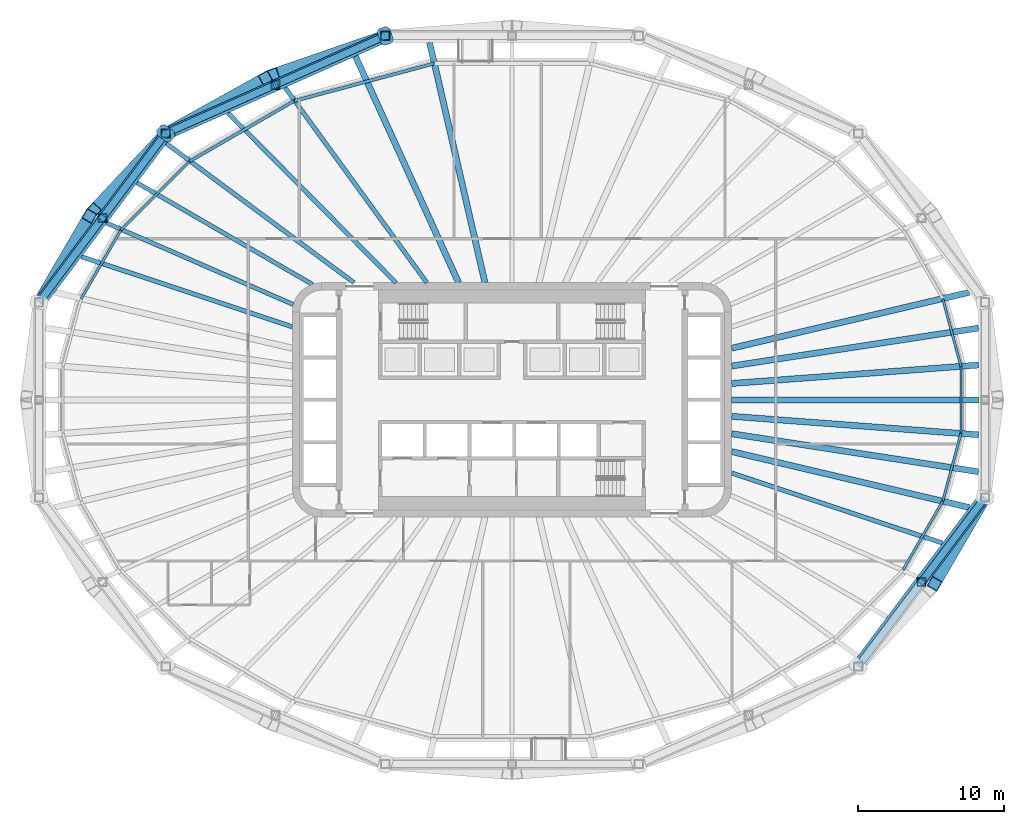
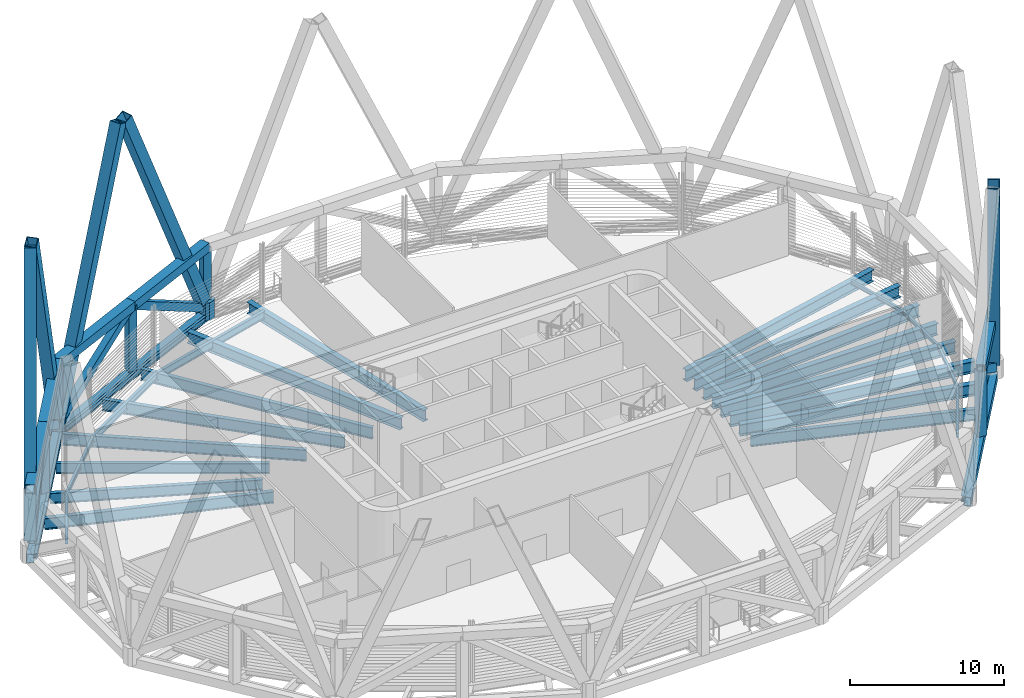
# One storey, part 3 of 18: 30 beams, 22 members.
"""IFC4 building model written with IfcOpenShell, lengths in metres."""

from ifc_helpers import new_model, si_unit, direction, frame, origin, origin_2d, place, context, subcontext, project, spatial, polyline, hollow_rectangle, i_section, outline, extrude, material, material_profile, profile_set, type_object, element, save


model = new_model("IFC4")

# Units and contexts
model_context = context("Model", 3, precision=1e-05, world=origin(), true_north=direction((0.0, 1.0)))
body_context = subcontext(model_context, "Body", "Model", "MODEL_VIEW")
ifc_project = project(units=[si_unit("LENGTHUNIT", "METRE"), si_unit("AREAUNIT", "SQUARE_METRE"), si_unit("VOLUMEUNIT", "CUBIC_METRE"), si_unit("PLANEANGLEUNIT", "RADIAN"), si_unit("MASSUNIT", "GRAM", prefix="KILO")], contexts=[model_context])

# Site, building, storey
site_placement = place(None, origin())
site = spatial("IfcSite", under=ifc_project, at=site_placement, CompositionType="ELEMENT")
building_placement = place(site_placement, origin())
building = spatial("IfcBuilding", under=site, at=building_placement, Name="Sahrelin Media Tower", CompositionType="ELEMENT")
storey_placement = place(building_placement, frame((0.0, 0.0, 197.60009765625)))
storey = spatial("IfcBuildingStorey", under=building, at=storey_placement, Name="L42", CompositionType="ELEMENT", Elevation=197.60009765625)

# Members
ifc_material_1 = material(Name="Steel S460", Category="steel")
ifc_material_profile_1 = material_profile(ifc_material_1, hollow_rectangle(XDim=0.699951171875, YDim=0.699951171875, WallThickness=0.044921875, at=origin_2d()), Name="Belt truss chord BC")
ifc_profile_set_1 = profile_set([ifc_material_profile_1], Name="Steel S460")
member_type_1 = type_object("IfcMemberType", Name="Belt truss chord BC", PredefinedType="CHORD", material=ifc_profile_set_1)
member_1_placement = place(storey_placement, frame((-8.651611328125, 24.852294921875, 4.849853515625), z_axis=(-0.913828738692, -0.406099786187, 0.0), x_axis=(0.406099786187, -0.913828738692, 0.0)))
element("IfcMember", 1, at=member_1_placement, inside=storey, type_object=member_type_1, Name="Belt truss member BT09-03-T1", PredefinedType="CHORD", context=body_context, shape_type="SweptSolid", body=[
    extrude(hollow_rectangle(XDim=0.699951171875, YDim=0.699951171875, WallThickness=0.044921875, at=origin_2d()), origin(), (0.0, 0.0, 1.0), 8.198974609375),
])
member_2_placement = place(storey_placement, frame((-16.14404296875, 21.522705078125, 4.849853515625), z_axis=(-0.913833649239, -0.406088736016, 0.0), x_axis=(0.406088736016, -0.913833649239, 0.0)))
element("IfcMember", 2, at=member_2_placement, inside=storey, type_object=member_type_1, Name="Belt truss member BT09-03-T2", PredefinedType="CHORD", context=body_context, shape_type="SweptSolid", body=[
    extrude(hollow_rectangle(XDim=0.699951171875, YDim=0.699951171875, WallThickness=0.044921875, at=origin_2d()), origin(), (0.0, 0.0, 1.0), 8.19921875),
])
for number, where, z_axis, x_axis, name in (
    (3, (-23.63671875, 18.193115234375, 4.849853515625), (-0.600032510579, -0.799975616034, 0.0), (0.799975616034, -0.600032510579, 0.0), "Belt truss member BT09-04-T1"),
    (4, (-27.96240234375, 12.426025390625, 4.849853515625), (-0.600070438811, -0.799947166046, 0.0), (0.799947166046, -0.600070438811, 0.0), "Belt truss member BT09-04-T2"),
    (5, (27.96240234375, -12.426025390625, 4.849853515625), (0.600070438811, 0.799947166046, 0.0), (-0.799947166046, 0.600070438811, 0.0), "Belt truss member BT09-10-T2"),
):
    element("IfcMember", number, at=place(storey_placement, frame(where, z_axis=z_axis, x_axis=x_axis)), inside=storey, type_object=member_type_1, Name=name, PredefinedType="CHORD", context=body_context, shape_type="SweptSolid", body=[
        extrude(hollow_rectangle(XDim=0.699951171875, YDim=0.699951171875, WallThickness=0.044921875, at=origin_2d()), origin(), (0.0, 0.0, 1.0), 7.208984375),
    ])
ifc_material_profile_2 = material_profile(ifc_material_1, hollow_rectangle(XDim=0.5, YDim=0.60009765625, WallThickness=0.030029296875, at=origin_2d()), Name="Belt truss diagonal BD")
ifc_profile_set_2 = profile_set([ifc_material_profile_2], Name="Steel S460")
member_type_2 = type_object("IfcMemberType", Name="Belt truss diagonal BD", PredefinedType="BRACE", material=ifc_profile_set_2)
member_3_placement = place(storey_placement, frame((-9.064208984375, 24.668701171875, 0.26708984375), z_axis=(-0.78653625123, -0.349505366852, 0.509123486045), x_axis=(0.406074139919, -0.913840135302, 0.0)))
element("IfcMember", 6, at=member_3_placement, inside=storey, type_object=member_type_2, Name="Belt truss member BT09-03-X1", PredefinedType="BRACE", context=body_context, shape_type="SweptSolid", body=[
    extrude(hollow_rectangle(XDim=0.5, YDim=0.60009765625, WallThickness=0.030029296875, at=origin_2d()), origin(), (0.0, 0.0, 1.0), 9.001220703125),
])
member_4_placement = place(storey_placement, frame((-23.1689453125, 18.40087890625, 0.302734375), z_axis=(0.786532796821, 0.349530648257, 0.509111466629), x_axis=(-0.406100158654, 0.913828573169, 0.0)))
element("IfcMember", 7, at=member_4_placement, inside=storey, type_object=member_type_2, Name="Belt truss member BT09-03-X2", PredefinedType="BRACE", context=body_context, shape_type="SweptSolid", body=[
    extrude(hollow_rectangle(XDim=0.5, YDim=0.60009765625, WallThickness=0.030029296875, at=origin_2d()), origin(), (0.0, 0.0, 1.0), 8.931396484375),
])
member_5_placement = place(storey_placement, frame((-23.906494140625, 17.8330078125, 0.302734375), z_axis=(-0.497883709861, -0.663735058225, 0.558182393075), x_axis=(0.799952318915, -0.600063569519, 0.0)))
element("IfcMember", 8, at=member_5_placement, inside=storey, type_object=member_type_2, Name="Belt truss member BT09-04-X1", PredefinedType="BRACE", context=body_context, shape_type="SweptSolid", body=[
    extrude(hollow_rectangle(XDim=0.5, YDim=0.60009765625, WallThickness=0.030029296875, at=origin_2d()), origin(), (0.0, 0.0, 1.0), 8.146240234375),
])
for number, where, z_axis, x_axis, name in (
    (9, (-31.98974609375, 7.056884765625, 0.33447265625), (0.497864181258, 0.663738425935, 0.558195807005), (-0.79996507838, 0.600046559338, 0.0), "Belt truss member BT09-04-X2"),
    (10, (31.98974609375, -7.056884765625, 0.33447265625), (-0.497864181258, -0.663738425935, 0.558195807005), (0.79996507838, -0.600046559338, 0.0), "Belt truss member BT09-10-X2"),
):
    element("IfcMember", number, at=place(storey_placement, frame(where, z_axis=z_axis, x_axis=x_axis)), inside=storey, type_object=member_type_2, Name=name, PredefinedType="BRACE", context=body_context, shape_type="SweptSolid", body=[
        extrude(hollow_rectangle(XDim=0.5, YDim=0.60009765625, WallThickness=0.030029296875, at=origin_2d()), origin(), (0.0, 0.0, 1.0), 8.08935546875),
    ])
ifc_material_profile_3 = material_profile(ifc_material_1, hollow_rectangle(XDim=0.60009765625, YDim=0.60009765625, WallThickness=0.034912109375, at=origin_2d()), Name="Belt truss post BP")
ifc_profile_set_3 = profile_set([ifc_material_profile_3], Name="Steel S460")
member_type_3 = type_object("IfcMemberType", Name="Belt truss post BP", PredefinedType="POST", material=ifc_profile_set_3)
member_6_placement = place(storey_placement, frame((-8.651611328125, 24.852294921875, 0.699951171875), z_axis=(0.0, 0.0, 1.0), x_axis=(1.0, 0.0, 0.0)))
element("IfcMember", 11, at=member_6_placement, inside=storey, type_object=member_type_3, Name="Belt truss member BT09-03-P0", PredefinedType="POST", context=body_context, shape_type="SweptSolid", body=[
    extrude(hollow_rectangle(XDim=0.60009765625, YDim=0.60009765625, WallThickness=0.034912109375, at=origin_2d()), origin(), (0.0, 0.0, 1.0), 4.14990234375),
])
member_7_placement = place(storey_placement, frame((-16.14404296875, 21.522705078125, -0.320068359375), z_axis=(0.0, 0.0, 1.0), x_axis=(1.0, 0.0, 0.0)))
element("IfcMember", 12, at=member_7_placement, inside=storey, type_object=member_type_3, Name="Belt truss member BT09-03-P1", PredefinedType="POST", context=body_context, shape_type="SweptSolid", body=[
    extrude(hollow_rectangle(XDim=0.60009765625, YDim=0.60009765625, WallThickness=0.034912109375, at=origin_2d()), origin(), (0.0, 0.0, 1.0), 5.169921875),
])
member_8_placement = place(storey_placement, frame((-23.63671875, 18.193115234375, 0.699951171875), z_axis=(0.0, 0.0, 1.0), x_axis=(1.0, 0.0, 0.0)))
element("IfcMember", 13, at=member_8_placement, inside=storey, type_object=member_type_3, Name="Belt truss member BT09-04-P0", PredefinedType="POST", context=body_context, shape_type="SweptSolid", body=[
    extrude(hollow_rectangle(XDim=0.60009765625, YDim=0.60009765625, WallThickness=0.034912109375, at=origin_2d()), origin(), (0.0, 0.0, 1.0), 4.14990234375),
])
for number, where, z_axis, x_axis, name in (
    (14, (-27.96240234375, 12.426025390625, -0.320068359375), (0.0, 0.0, 1.0), (1.0, 0.0, 0.0), "Belt truss member BT09-04-P1"),
    (15, (27.96240234375, -12.426025390625, -0.320068359375), (0.0, 0.0, 1.0), (1.0, 0.0, 0.0), "Belt truss member BT09-10-P1"),
):
    element("IfcMember", number, at=place(storey_placement, frame(where, z_axis=z_axis, x_axis=x_axis)), inside=storey, type_object=member_type_3, Name=name, PredefinedType="POST", context=body_context, shape_type="SweptSolid", body=[
        extrude(hollow_rectangle(XDim=0.60009765625, YDim=0.60009765625, WallThickness=0.034912109375, at=origin_2d()), origin(), (0.0, 0.0, 1.0), 5.169921875),
    ])
ifc_material_profile_4 = material_profile(ifc_material_1, hollow_rectangle(XDim=0.800048828125, YDim=0.800048828125, WallThickness=0.044921875, at=origin_2d()), Name="Diagrid diagonal DG5")
ifc_profile_set_4 = profile_set([ifc_material_profile_4], Name="Steel S460")
member_type_4 = type_object("IfcMemberType", Name="Diagrid diagonal DG5", PredefinedType="BRACE", material=ifc_profile_set_4)
member_9_placement = place(storey_placement, frame((-8.92919921875, 24.75634765625, 0.699951171875), z_axis=(-0.365804045069, -0.12635634696, 0.922074549152), x_axis=(0.326491805711, -0.945200032165, 0.0)))
element("IfcMember", 16, at=member_9_placement, inside=storey, type_object=member_type_4, Name="Diagrid diagonal D09-07", PredefinedType="BRACE", context=body_context, shape_type="SweptSolid", body=[
    extrude(hollow_rectangle(XDim=0.800048828125, YDim=0.800048828125, WallThickness=0.044921875, at=origin_2d()), origin(), (0.0, 0.0, 1.0), 20.171630859375),
])
member_10_placement = place(storey_placement, frame((-23.389892578125, 18.330078125, 0.699951171875), z_axis=(0.326945813054, 0.181708248993, 0.927409589973), x_axis=(-0.485789373897, 0.874075903002, 0.0)))
element("IfcMember", 17, at=member_10_placement, inside=storey, type_object=member_type_4, Name="Diagrid diagonal D09-08", PredefinedType="BRACE", context=body_context, shape_type="SweptSolid", body=[
    extrude(hollow_rectangle(XDim=0.800048828125, YDim=0.800048828125, WallThickness=0.044921875, at=origin_2d()), origin(), (0.0, 0.0, 1.0), 20.0556640625),
])
member_11_placement = place(storey_placement, frame((-23.814697265625, 18.003173828125, 0.699951171875), z_axis=(-0.238573725504, -0.254320354115, 0.937231953671), x_axis=(0.729324834274, -0.684167586276, 0.0)))
element("IfcMember", 18, at=member_11_placement, inside=storey, type_object=member_type_4, Name="Diagrid diagonal D09-09", PredefinedType="BRACE", context=body_context, shape_type="SweptSolid", body=[
    extrude(hollow_rectangle(XDim=0.800048828125, YDim=0.800048828125, WallThickness=0.044921875, at=origin_2d()), origin(), (0.0, 0.0, 1.0), 19.845458984375),
])
for number, where, z_axis, x_axis, name in (
    (19, (-32.163818359375, 6.872802734375, 0.699951171875), (0.16786215952, 0.287905137059, 0.94283239627), (-0.863886627627, 0.503686305757, 0.0), "Diagrid diagonal D09-10"),
    (20, (32.163818359375, -6.872802734375, 0.699951171875), (-0.16786215952, -0.287905137059, 0.94283239627), (0.863886627627, -0.503686305757, 0.0), "Diagrid diagonal D09-22"),
):
    element("IfcMember", number, at=place(storey_placement, frame(where, z_axis=z_axis, x_axis=x_axis)), inside=storey, type_object=member_type_4, Name=name, PredefinedType="BRACE", context=body_context, shape_type="SweptSolid", body=[
        extrude(hollow_rectangle(XDim=0.800048828125, YDim=0.800048828125, WallThickness=0.044921875, at=origin_2d()), origin(), (0.0, 0.0, 1.0), 19.7275390625),
    ])
ifc_material_profile_5 = material_profile(ifc_material_1, outline(polyline([(0.39990234375, -0.449951171875), (0.60009765625, -0.25), (0.60009765625, 0.25), (0.39990234375, 0.449951171875), (-0.39990234375, 0.449951171875), (-0.60009765625, 0.25), (-0.60009765625, -0.25), (-0.39990234375, -0.449951171875), (0.39990234375, -0.449951171875)])), Name="Diagrid node block 1200")
ifc_profile_set_5 = profile_set([ifc_material_profile_5], Name="Steel S460")
member_type_5 = type_object("IfcMemberType", Name="Diagrid node block 1200", PredefinedType="USERDEFINED", material=ifc_profile_set_5)
for number, where, z_axis, x_axis, name in (
    (21, (-8.651611328125, 24.852294921875, -0.7001953125), (0.0, 0.0, 1.0), (-0.328769398381, 0.944410230085, 0.0), "Diagrid node N09-03"),
    (22, (-23.63671875, 18.193115234375, -0.7001953125), (0.0, 0.0, 1.0), (-0.792446158195, 0.609941871297, 0.0), "Diagrid node N09-04"),
):
    element("IfcMember", number, at=place(storey_placement, frame(where, z_axis=z_axis, x_axis=x_axis)), inside=storey, type_object=member_type_5, Name=name, ObjectType="NODE", PredefinedType="USERDEFINED", context=body_context, shape_type="SweptSolid", body=[
        extrude(outline(polyline([(0.39990234375, -0.449951171875), (0.60009765625, -0.25), (0.60009765625, 0.25), (0.39990234375, 0.449951171875), (-0.39990234375, 0.449951171875), (-0.60009765625, 0.25), (-0.60009765625, -0.25), (-0.39990234375, -0.449951171875), (0.39990234375, -0.449951171875)])), origin(), (0.0, 0.0, 1.0), 1.400146484375),
    ])

# Beams
ifc_material_profile_6 = material_profile(ifc_material_1, hollow_rectangle(XDim=0.5, YDim=0.699951171875, WallThickness=0.034912109375, at=origin_2d()), Name="Diagrid ring beam RB2")
ifc_profile_set_6 = profile_set([ifc_material_profile_6], Name="Steel S460")
beam_type_1 = type_object("IfcBeamType", Name="Diagrid ring beam RB2", PredefinedType="BEAM", material=ifc_profile_set_6)
beam_1_placement = place(storey_placement, frame((-8.651611328125, 24.852294921875, -0.650146484375), z_axis=(-0.913831194015, -0.406094261033, 0.0), x_axis=(0.406094261033, -0.913831194015, 0.0)))
element("IfcBeam", 23, at=beam_1_placement, inside=storey, type_object=beam_type_1, Name="Diagrid ring beam RB09-03", PredefinedType="BEAM", context=body_context, shape_type="SweptSolid", body=[
    extrude(hollow_rectangle(XDim=0.5, YDim=0.699951171875, WallThickness=0.034912109375, at=origin_2d()), origin(), (0.0, 0.0, 1.0), 16.398193359375),
])
for number, where, z_axis, x_axis, name in (
    (24, (-23.63671875, 18.193115234375, -0.650146484375), (-0.600051474799, -0.799961391313, 0.0), (0.799961391313, -0.600051474799, 0.0), "Diagrid ring beam RB09-04"),
    (25, (23.63671875, -18.193115234375, -0.650146484375), (0.600051474799, 0.799961391313, 0.0), (-0.799961391313, 0.600051474799, 0.0), "Diagrid ring beam RB09-10"),
):
    element("IfcBeam", number, at=place(storey_placement, frame(where, z_axis=z_axis, x_axis=x_axis)), inside=storey, type_object=beam_type_1, Name=name, PredefinedType="BEAM", context=body_context, shape_type="SweptSolid", body=[
        extrude(hollow_rectangle(XDim=0.5, YDim=0.699951171875, WallThickness=0.034912109375, at=origin_2d()), origin(), (0.0, 0.0, 1.0), 14.418212890625),
    ])
ifc_material_2 = material(Name="Steel S355", Category="steel")
ifc_material_profile_7 = material_profile(ifc_material_2, i_section(OverallWidth=0.1650390625, OverallDepth=0.303466796875, WebThickness=0.006103515625, FlangeThickness=0.01025390625, FilletRadius=0.0087890625, at=origin_2d()), Name="UB 305x165x40")
ifc_profile_set_7 = profile_set([ifc_material_profile_7], Name="Steel S355")
beam_type_2 = type_object("IfcBeamType", Name="Edge beam EB2", PredefinedType="BEAM", material=ifc_profile_set_7)
beam_2_placement = place(storey_placement, frame((30.649658203125, 2.267578125, -0.451904296875), z_axis=(0.0, -1.0, 0.0), x_axis=(1.0, 0.0, 0.0)))
element("IfcBeam", 26, at=beam_2_placement, inside=storey, type_object=beam_type_2, Name="Edge beam L42-01", PredefinedType="BEAM", context=body_context, shape_type="SweptSolid", body=[
    extrude(i_section(OverallWidth=0.1650390625, OverallDepth=0.303466796875, WebThickness=0.006103515625, FlangeThickness=0.01025390625, FilletRadius=0.0087890625, at=origin_2d()), origin(), (0.0, 0.0, 1.0), 4.53515625),
])
for number, where, z_axis, x_axis, name in (
    (27, (30.64599609375, -2.296142578125, -0.451904296875), (-0.258840645059, -0.965920038339, 0.0), (0.965920038339, -0.258840645059, 0.0), "Edge beam L42-02"),
    (28, (29.41748046875, 6.880615234375, -0.451904296875), (0.258840645059, -0.965920038339, 0.0), (0.965920038339, 0.258840645059, 0.0), "Edge beam L42-24"),
):
    element("IfcBeam", number, at=place(storey_placement, frame(where, z_axis=z_axis, x_axis=x_axis)), inside=storey, type_object=beam_type_2, Name=name, PredefinedType="BEAM", context=body_context, shape_type="SweptSolid", body=[
        extrude(i_section(OverallWidth=0.1650390625, OverallDepth=0.303466796875, WebThickness=0.006103515625, FlangeThickness=0.01025390625, FilletRadius=0.0087890625, at=origin_2d()), origin(), (0.0, 0.0, 1.0), 4.746337890625),
    ])
ifc_material_profile_8 = material_profile(ifc_material_2, i_section(OverallWidth=0.17138671875, OverallDepth=0.35498046875, WebThickness=0.00732421875, FlangeThickness=0.011474609375, FilletRadius=0.01025390625, at=origin_2d()), Name="UB 356x171x51")
ifc_profile_set_8 = profile_set([ifc_material_profile_8], Name="Steel S355")
beam_type_3 = type_object("IfcBeamType", Name="Edge beam EB3", PredefinedType="BEAM", material=ifc_profile_set_8)
for number, where, z_axis, x_axis, name in (
    (29, (29.406494140625, -6.9072265625, -0.4775390625), (-0.499973789888, -0.866040535671, 0.0), (0.866040535671, -0.499973789888, 0.0), "Edge beam L42-03"),
    (30, (-29.406494140625, 6.9072265625, -0.4775390625), (0.499973789888, 0.866040535671, 0.0), (-0.866040535671, 0.499973789888, 0.0), "Edge beam L42-15"),
):
    element("IfcBeam", number, at=place(storey_placement, frame(where, z_axis=z_axis, x_axis=x_axis)), inside=storey, type_object=beam_type_3, Name=name, PredefinedType="BEAM", context=body_context, shape_type="SweptSolid", body=[
        extrude(i_section(OverallWidth=0.17138671875, OverallDepth=0.35498046875, WebThickness=0.00732421875, FlangeThickness=0.011474609375, FilletRadius=0.01025390625, at=origin_2d()), origin(), (0.0, 0.0, 1.0), 5.409423828125),
    ])
ifc_material_profile_9 = material_profile(ifc_material_2, i_section(OverallWidth=0.177978515625, OverallDepth=0.406494140625, WebThickness=0.0078125, FlangeThickness=0.0126953125, FilletRadius=0.01025390625, at=origin_2d()), Name="UB 406x178x60")
ifc_profile_set_9 = profile_set([ifc_material_profile_9], Name="Steel S355")
beam_type_4 = type_object("IfcBeamType", Name="Edge beam EB4", PredefinedType="BEAM", material=ifc_profile_set_9)
beam_3_placement = place(storey_placement, frame((-26.684326171875, 11.614990234375, -0.50341796875), z_axis=(0.707125316339, 0.707088245549, 0.0), x_axis=(-0.707088245549, 0.707125316339, 0.0)))
element("IfcBeam", 31, at=beam_3_placement, inside=storey, type_object=beam_type_4, Name="Edge beam L42-16", PredefinedType="BEAM", context=body_context, shape_type="SweptSolid", body=[
    extrude(i_section(OverallWidth=0.177978515625, OverallDepth=0.406494140625, WebThickness=0.0078125, FlangeThickness=0.0126953125, FilletRadius=0.01025390625, at=origin_2d()), origin(), (0.0, 0.0, 1.0), 6.585693359375),
])
ifc_material_profile_10 = material_profile(ifc_material_2, i_section(OverallWidth=0.208740234375, OverallDepth=0.5283203125, WebThickness=0.009521484375, FlangeThickness=0.01318359375, FilletRadius=0.0126953125, at=origin_2d()), Name="UB 533x210x82")
ifc_profile_set_10 = profile_set([ifc_material_profile_10], Name="Steel S355")
beam_type_5 = type_object("IfcBeamType", Name="Edge beam EB6", PredefinedType="BEAM", material=ifc_profile_set_10)
beam_4_placement = place(storey_placement, frame((-22.00439453125, 16.289306640625, -0.564208984375), z_axis=(0.866021932652, 0.500006012129, 0.0), x_axis=(-0.500006012129, 0.866021932652, 0.0)))
element("IfcBeam", 32, at=beam_4_placement, inside=storey, type_object=beam_type_5, Name="Edge beam L42-17", PredefinedType="BEAM", context=body_context, shape_type="SweptSolid", body=[
    extrude(i_section(OverallWidth=0.208740234375, OverallDepth=0.5283203125, WebThickness=0.009521484375, FlangeThickness=0.01318359375, FilletRadius=0.0126953125, at=origin_2d()), origin(), (0.0, 0.0, 1.0), 8.22314453125),
])
ifc_material_profile_11 = material_profile(ifc_material_2, i_section(OverallWidth=0.2275390625, OverallDepth=0.6025390625, WebThickness=0.010498046875, FlangeThickness=0.014892578125, FilletRadius=0.0126953125, at=origin_2d()), Name="UB 610x229x101")
ifc_profile_set_11 = profile_set([ifc_material_profile_11], Name="Steel S355")
beam_type_6 = type_object("IfcBeamType", Name="Edge beam EB7", PredefinedType="BEAM", material=ifc_profile_set_11)
beam_5_placement = place(storey_placement, frame((-14.8564453125, 20.412109375, -0.601318359375), z_axis=(0.9659328091, 0.258792983491, 0.0), x_axis=(-0.258792983491, 0.9659328091, 0.0)))
element("IfcBeam", 33, at=beam_5_placement, inside=storey, type_object=beam_type_6, Name="Edge beam L42-18", PredefinedType="BEAM", context=body_context, shape_type="SweptSolid", body=[
    extrude(i_section(OverallWidth=0.2275390625, OverallDepth=0.6025390625, WebThickness=0.010498046875, FlangeThickness=0.014892578125, FilletRadius=0.0126953125, at=origin_2d()), origin(), (0.0, 0.0, 1.0), 9.865966796875),
])
ifc_material_profile_12 = material_profile(ifc_material_2, i_section(OverallWidth=0.291748046875, OverallDepth=0.8349609375, WebThickness=0.013916015625, FlangeThickness=0.018798828125, FilletRadius=0.017822265625, at=origin_2d()), Name="UB 838x292x176")
ifc_profile_set_12 = profile_set([ifc_material_profile_12], Name="Steel S355")
beam_type_7 = type_object("IfcBeamType", Name="Radial primary beam PB10", PredefinedType="BEAM", material=ifc_profile_set_12)
beam_6_placement = place(storey_placement, frame((-14.932373046875, 6.513671875, -0.717529296875), z_axis=(-0.916592987985, 0.399821578178, 0.0), x_axis=(-0.399821578178, -0.916592987985, 0.0)))
element("IfcBeam", 34, at=beam_6_placement, inside=storey, type_object=beam_type_7, Name="Radial beam L42-10", PredefinedType="BEAM", context=body_context, shape_type="SweptSolid", body=[
    extrude(i_section(OverallWidth=0.291748046875, OverallDepth=0.8349609375, WebThickness=0.013916015625, FlangeThickness=0.018798828125, FilletRadius=0.017822265625, at=origin_2d()), origin(), (0.0, 0.0, 1.0), 13.89892578125),
])
ifc_material_profile_13 = material_profile(ifc_material_2, i_section(OverallWidth=0.30322265625, OverallDepth=0.903076171875, WebThickness=0.01513671875, FlangeThickness=0.020263671875, FilletRadius=0.01904296875, at=origin_2d()), Name="UB 914x305x201")
ifc_profile_set_13 = profile_set([ifc_material_profile_13], Name="Steel S355")
beam_type_8 = type_object("IfcBeamType", Name="Radial primary beam PB11", PredefinedType="BEAM", material=ifc_profile_set_13)
beam_7_placement = place(storey_placement, frame((-5.81201171875, 8.0, -0.751708984375), z_axis=(-0.58777324028, 0.809025721477, 0.0), x_axis=(-0.809025721477, -0.58777324028, 0.0)))
element("IfcBeam", 35, at=beam_7_placement, inside=storey, type_object=beam_type_8, Name="Radial beam L42-08", PredefinedType="BEAM", context=body_context, shape_type="SweptSolid", body=[
    extrude(i_section(OverallWidth=0.30322265625, OverallDepth=0.903076171875, WebThickness=0.01513671875, FlangeThickness=0.020263671875, FilletRadius=0.01904296875, at=origin_2d()), origin(), (0.0, 0.0, 1.0), 16.469970703125),
])
beam_8_placement = place(storey_placement, frame((-10.78369140625, 8.0, -0.751708984375), z_axis=(-0.803127556371, 0.595807123319, 0.0), x_axis=(-0.595807123319, -0.803127556371, 0.0)))
element("IfcBeam", 36, at=beam_8_placement, inside=storey, type_object=beam_type_8, Name="Radial beam L42-09", PredefinedType="BEAM", context=body_context, shape_type="SweptSolid", body=[
    extrude(i_section(OverallWidth=0.30322265625, OverallDepth=0.903076171875, WebThickness=0.01513671875, FlangeThickness=0.020263671875, FilletRadius=0.01904296875, at=origin_2d()), origin(), (0.0, 0.0, 1.0), 15.952880859375),
])
ifc_material_profile_14 = material_profile(ifc_material_2, i_section(OverallWidth=0.41845703125, OverallDepth=0.911865234375, WebThickness=0.019287109375, FlangeThickness=0.031982421875, FilletRadius=0.024169921875, at=origin_2d()), Name="UB 914x419x343")
ifc_profile_set_14 = profile_set([ifc_material_profile_14], Name="Steel S355")
beam_type_9 = type_object("IfcBeamType", Name="Radial primary beam PB12", PredefinedType="BEAM", material=ifc_profile_set_14)
beam_9_placement = place(storey_placement, frame((15.0, 1.12109375, -0.756103515625), z_axis=(0.997218869088, 0.074528700068, 0.0), x_axis=(-0.074528700068, 0.997218869088, 0.0)))
element("IfcBeam", 37, at=beam_9_placement, inside=storey, type_object=beam_type_9, Name="Radial beam L42-01", PredefinedType="BEAM", context=body_context, shape_type="SweptSolid", body=[
    extrude(i_section(OverallWidth=0.41845703125, OverallDepth=0.911865234375, WebThickness=0.019287109375, FlangeThickness=0.031982421875, FilletRadius=0.024169921875, at=origin_2d()), origin(), (0.0, 0.0, 1.0), 16.889892578125),
])
beam_10_placement = place(storey_placement, frame((15.0, 3.52880859375, -0.756103515625), z_axis=(0.973427353013, 0.228996044522, 0.0), x_axis=(-0.228996044522, 0.973427353013, 0.0)))
element("IfcBeam", 38, at=beam_10_placement, inside=storey, type_object=beam_type_9, Name="Radial beam L42-02", PredefinedType="BEAM", context=body_context, shape_type="SweptSolid", body=[
    extrude(i_section(OverallWidth=0.41845703125, OverallDepth=0.911865234375, WebThickness=0.019287109375, FlangeThickness=0.031982421875, FilletRadius=0.024169921875, at=origin_2d()), origin(), (0.0, 0.0, 1.0), 16.660400390625),
])
beam_11_placement = place(storey_placement, frame((-1.84521484375, 8.0, -0.756103515625), z_axis=(-0.224747253769, 0.974417093407, 0.0), x_axis=(-0.974417093407, -0.224747253769, 0.0)))
element("IfcBeam", 39, at=beam_11_placement, inside=storey, type_object=beam_type_9, Name="Radial beam L42-07", PredefinedType="BEAM", context=body_context, shape_type="SweptSolid", body=[
    extrude(i_section(OverallWidth=0.41845703125, OverallDepth=0.911865234375, WebThickness=0.019287109375, FlangeThickness=0.031982421875, FilletRadius=0.024169921875, at=origin_2d()), origin(), (0.0, 0.0, 1.0), 16.83740234375),
])
beam_12_placement = place(storey_placement, frame((15.0, -3.52880859375, -0.756103515625), z_axis=(0.973427353013, -0.228996044522, 0.0), x_axis=(0.228996044522, 0.973427353013, 0.0)))
element("IfcBeam", 40, at=beam_12_placement, inside=storey, type_object=beam_type_9, Name="Radial beam L42-23", PredefinedType="BEAM", context=body_context, shape_type="SweptSolid", body=[
    extrude(i_section(OverallWidth=0.41845703125, OverallDepth=0.911865234375, WebThickness=0.019287109375, FlangeThickness=0.031982421875, FilletRadius=0.024169921875, at=origin_2d()), origin(), (0.0, 0.0, 1.0), 16.660400390625),
])
beam_13_placement = place(storey_placement, frame((15.0, -1.12109375, -0.756103515625), z_axis=(0.997218869088, -0.074528700068, 0.0), x_axis=(0.074528700068, 0.997218869088, 0.0)))
element("IfcBeam", 41, at=beam_13_placement, inside=storey, type_object=beam_type_9, Name="Radial beam L42-24", PredefinedType="BEAM", context=body_context, shape_type="SweptSolid", body=[
    extrude(i_section(OverallWidth=0.41845703125, OverallDepth=0.911865234375, WebThickness=0.019287109375, FlangeThickness=0.031982421875, FilletRadius=0.024169921875, at=origin_2d()), origin(), (0.0, 0.0, 1.0), 16.889892578125),
])
ifc_material_profile_15 = material_profile(ifc_material_2, i_section(OverallWidth=0.291748046875, OverallDepth=0.8349609375, WebThickness=0.013916015625, FlangeThickness=0.018798828125, FilletRadius=0.017822265625, at=origin_2d()), Name="UB 838x292x176")
ifc_profile_set_15 = profile_set([ifc_material_profile_15], Name="Steel S355")
beam_type_10 = type_object("IfcBeamType", Name="Radial secondary beam SB10", PredefinedType="BEAM", material=ifc_profile_set_15)
beam_14_placement = place(storey_placement, frame((-13.624267578125, 7.8876953125, -0.717529296875), z_axis=(-0.865415419841, 0.501055037996, 0.0), x_axis=(-0.501055037996, -0.865415419841, 0.0)))
element("IfcBeam", 42, at=beam_14_placement, inside=storey, type_object=beam_type_10, Name="Secondary beam L42-09", PredefinedType="BEAM", context=body_context, shape_type="SweptSolid", body=[
    extrude(i_section(OverallWidth=0.291748046875, OverallDepth=0.8349609375, WebThickness=0.013916015625, FlangeThickness=0.018798828125, FilletRadius=0.017822265625, at=origin_2d()), origin(), (0.0, 0.0, 1.0), 13.84521484375),
])
ifc_material_profile_16 = material_profile(ifc_material_2, i_section(OverallWidth=0.30322265625, OverallDepth=0.903076171875, WebThickness=0.01513671875, FlangeThickness=0.020263671875, FilletRadius=0.01904296875, at=origin_2d()), Name="UB 914x305x201")
ifc_profile_set_16 = profile_set([ifc_material_profile_16], Name="Steel S355")
beam_type_11 = type_object("IfcBeamType", Name="Radial secondary beam SB11", PredefinedType="BEAM", material=ifc_profile_set_16)
beam_15_placement = place(storey_placement, frame((-7.920654296875, 8.0, -0.751708984375), z_axis=(-0.703572795113, 0.710623192681, 0.0), x_axis=(-0.710623192681, -0.703572795113, 0.0)))
element("IfcBeam", 43, at=beam_15_placement, inside=storey, type_object=beam_type_11, Name="Secondary beam L42-08", PredefinedType="BEAM", context=body_context, shape_type="SweptSolid", body=[
    extrude(i_section(OverallWidth=0.30322265625, OverallDepth=0.903076171875, WebThickness=0.01513671875, FlangeThickness=0.020263671875, FilletRadius=0.01904296875, at=origin_2d()), origin(), (0.0, 0.0, 1.0), 16.309814453125),
])
for number, where, z_axis, x_axis, name in (
    (44, (-15.0, 4.990478515625, -0.751708984375), (-0.948856999938, 0.315706182499, 0.0), (-0.315706182499, -0.948856999938, 0.0), "Secondary beam L42-10"),
    (45, (15.0, -4.990478515625, -0.751708984375), (0.948856999938, -0.315706182499, 0.0), (0.315706182499, 0.948856999938, 0.0), "Secondary beam L42-22"),
):
    element("IfcBeam", number, at=place(storey_placement, frame(where, z_axis=z_axis, x_axis=x_axis)), inside=storey, type_object=beam_type_11, Name=name, PredefinedType="BEAM", context=body_context, shape_type="SweptSolid", body=[
        extrude(i_section(OverallWidth=0.30322265625, OverallDepth=0.903076171875, WebThickness=0.01513671875, FlangeThickness=0.020263671875, FilletRadius=0.01904296875, at=origin_2d()), origin(), (0.0, 0.0, 1.0), 15.1669921875),
    ])
ifc_material_profile_17 = material_profile(ifc_material_2, i_section(OverallWidth=0.41845703125, OverallDepth=0.911865234375, WebThickness=0.019287109375, FlangeThickness=0.031982421875, FilletRadius=0.024169921875, at=origin_2d()), Name="UB 914x419x343")
ifc_profile_set_17 = profile_set([ifc_material_profile_17], Name="Steel S355")
beam_type_12 = type_object("IfcBeamType", Name="Radial secondary beam SB12", PredefinedType="BEAM", material=ifc_profile_set_17)
beam_16_placement = place(storey_placement, frame((15.0, 2.310302734375, -0.756103515625), z_axis=(0.988343027912, 0.152243420801, 0.0), x_axis=(-0.152243420801, 0.988343027912, 0.0)))
element("IfcBeam", 46, at=beam_16_placement, inside=storey, type_object=beam_type_12, Name="Secondary beam L42-01", PredefinedType="BEAM", context=body_context, shape_type="SweptSolid", body=[
    extrude(i_section(OverallWidth=0.41845703125, OverallDepth=0.911865234375, WebThickness=0.019287109375, FlangeThickness=0.031982421875, FilletRadius=0.024169921875, at=origin_2d()), origin(), (0.0, 0.0, 1.0), 17.041748046875),
])
beam_17_placement = place(storey_placement, frame((-3.644775390625, 8.0, -0.756103515625), z_axis=(-0.414586695092, 0.910009819866, 0.0), x_axis=(-0.910009819866, -0.414586695092, 0.0)))
element("IfcBeam", 47, at=beam_17_placement, inside=storey, type_object=beam_type_12, Name="Secondary beam L42-07", PredefinedType="BEAM", context=body_context, shape_type="SweptSolid", body=[
    extrude(i_section(OverallWidth=0.41845703125, OverallDepth=0.911865234375, WebThickness=0.019287109375, FlangeThickness=0.031982421875, FilletRadius=0.024169921875, at=origin_2d()), origin(), (0.0, 0.0, 1.0), 16.988525390625),
])
beam_18_placement = place(storey_placement, frame((15.0, -2.310302734375, -0.756103515625), z_axis=(0.988343027912, -0.152243420801, 0.0), x_axis=(0.152243420801, 0.988343027912, 0.0)))
element("IfcBeam", 48, at=beam_18_placement, inside=storey, type_object=beam_type_12, Name="Secondary beam L42-23", PredefinedType="BEAM", context=body_context, shape_type="SweptSolid", body=[
    extrude(i_section(OverallWidth=0.41845703125, OverallDepth=0.911865234375, WebThickness=0.019287109375, FlangeThickness=0.031982421875, FilletRadius=0.024169921875, at=origin_2d()), origin(), (0.0, 0.0, 1.0), 17.041748046875),
])
beam_19_placement = place(storey_placement, frame((15.0, 0.0, -0.756103515625), z_axis=(1.0, 0.0, 0.0), x_axis=(0.0, 1.0, 0.0)))
element("IfcBeam", 49, at=beam_19_placement, inside=storey, type_object=beam_type_12, Name="Secondary beam L42-24", PredefinedType="BEAM", context=body_context, shape_type="SweptSolid", body=[
    extrude(i_section(OverallWidth=0.41845703125, OverallDepth=0.911865234375, WebThickness=0.019287109375, FlangeThickness=0.031982421875, FilletRadius=0.024169921875, at=origin_2d()), origin(), (0.0, 0.0, 1.0), 16.843017578125),
])
ifc_material_profile_18 = material_profile(ifc_material_2, i_section(OverallWidth=0.1904296875, OverallDepth=0.45703125, WebThickness=0.009033203125, FlangeThickness=0.014404296875, FilletRadius=0.01025390625, at=origin_2d()), Name="UB 457x191x74")
ifc_profile_set_18 = profile_set([ifc_material_profile_18], Name="Steel S355")
beam_type_13 = type_object("IfcBeamType", Name="Tie chord TC5", PredefinedType="BEAM", material=ifc_profile_set_18)
for number, where, z_axis, x_axis, name in (
    (50, (31.93798828125, -6.54248046875, -0.528564453125), (-0.600057726032, -0.799956702221, 0.0), (0.799956702221, -0.600057726032, 0.0), "Tie chord L42-02"),
    (51, (-31.93798828125, 6.54248046875, -0.528564453125), (0.600057726032, 0.799956702221, 0.0), (-0.799956702221, 0.600057726032, 0.0), "Tie chord L42-08"),
):
    element("IfcBeam", number, at=place(storey_placement, frame(where, z_axis=z_axis, x_axis=x_axis)), inside=storey, type_object=beam_type_13, Name=name, PredefinedType="BEAM", context=body_context, shape_type="SweptSolid", body=[
        extrude(i_section(OverallWidth=0.1904296875, OverallDepth=0.45703125, WebThickness=0.009033203125, FlangeThickness=0.014404296875, FilletRadius=0.01025390625, at=origin_2d()), origin(), (0.0, 0.0, 1.0), 14.2099609375),
    ])
beam_20_placement = place(storey_placement, frame((-23.4111328125, 17.909912109375, -0.528564453125), z_axis=(0.913828293648, 0.406100787649, 0.0), x_axis=(-0.406100787649, 0.913828293648, 0.0)))
element("IfcBeam", 52, at=beam_20_placement, inside=storey, type_object=beam_type_13, Name="Tie chord L42-09", PredefinedType="BEAM", context=body_context, shape_type="SweptSolid", body=[
    extrude(i_section(OverallWidth=0.1904296875, OverallDepth=0.45703125, WebThickness=0.009033203125, FlangeThickness=0.014404296875, FilletRadius=0.01025390625, at=origin_2d()), origin(), (0.0, 0.0, 1.0), 16.232421875),
])

save(model, "model.ifc")
